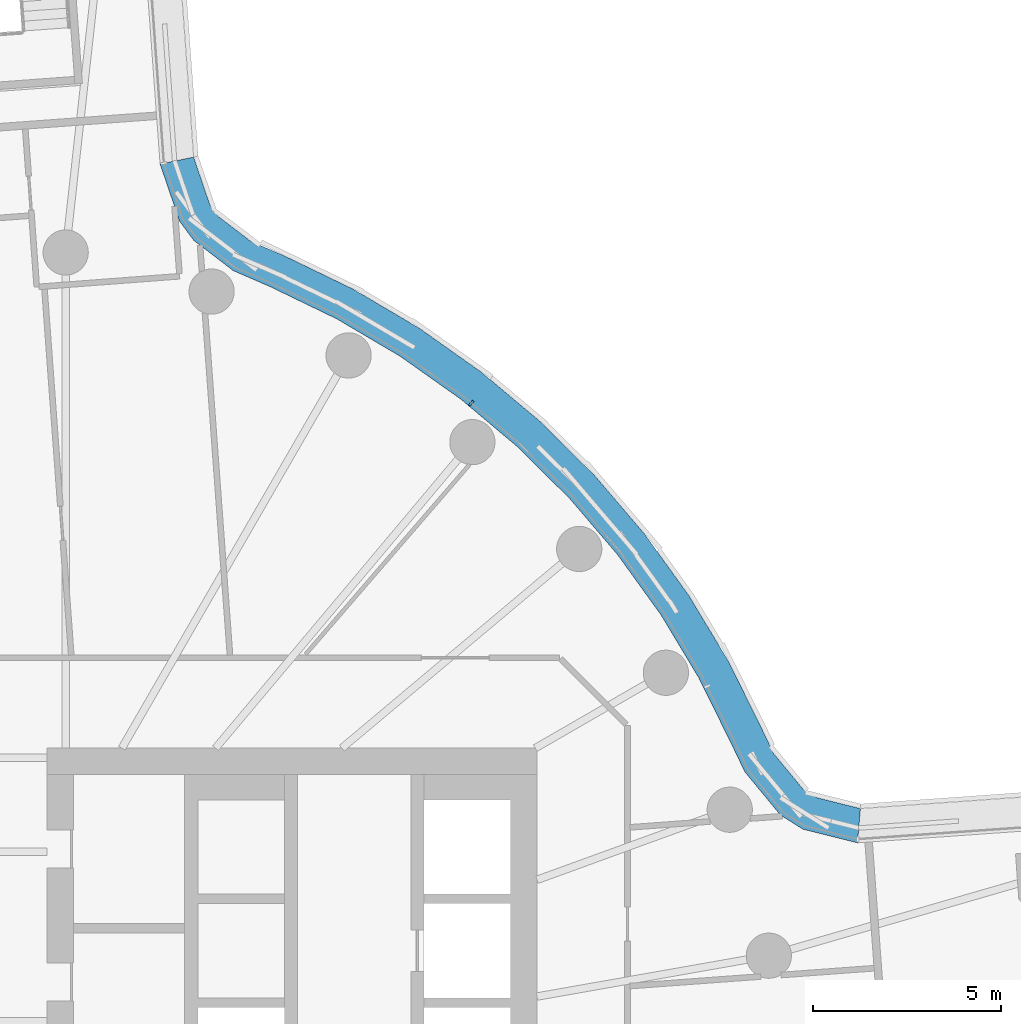
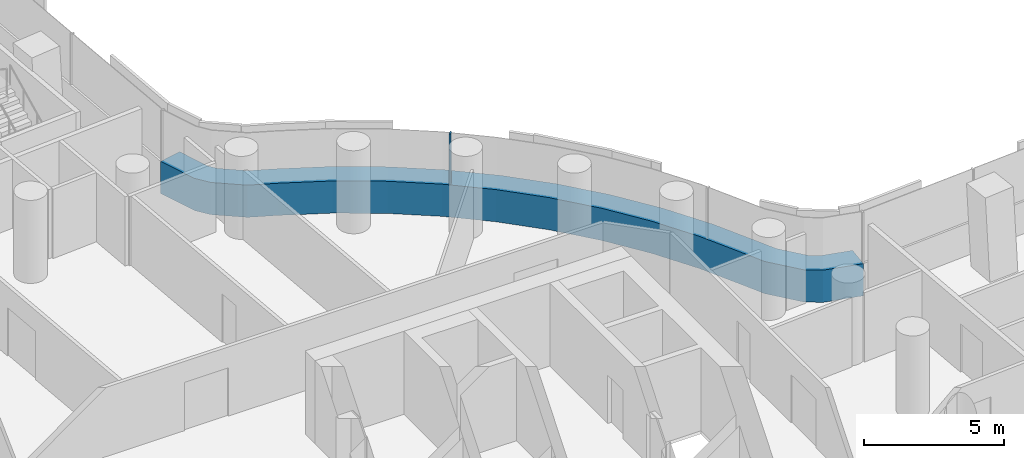
# One storey, part 16 of 31: 2 members, 1 element without a shape of its own.
"""IFC4 building model written with IfcOpenShell, lengths in metres."""

from ifc_helpers import new_model, si_unit, direction, frame, origin, origin_2d, place, context, subcontext, project, spatial, polyline, rectangle, outline, extrude, material, layer, layer_set, material_profile, profile_set, type_object, element, aggregate, save


model = new_model("IFC4")

# Units and contexts
model_context = context("Model", 3, precision=1e-05, world=origin(), true_north=direction((0.0, 1.0)))
body_context = subcontext(model_context, "Body", "Model", "MODEL_VIEW")
ifc_project = project(units=[si_unit("LENGTHUNIT", "METRE"), si_unit("AREAUNIT", "SQUARE_METRE"), si_unit("VOLUMEUNIT", "CUBIC_METRE"), si_unit("PLANEANGLEUNIT", "RADIAN"), si_unit("MASSUNIT", "GRAM", prefix="KILO")], contexts=[model_context])

# Site, building, storey
site_placement = place(None, origin())
site = spatial("IfcSite", under=ifc_project, at=site_placement, CompositionType="ELEMENT")
building_placement = place(site_placement, origin())
building = spatial("IfcBuilding", under=site, at=building_placement, Name="Tamarind Cross Interchange Tower", CompositionType="ELEMENT")
storey_placement = place(building_placement, frame((0.0, 0.0, 49.0)))
storey = spatial("IfcBuildingStorey", under=building, at=storey_placement, Name="L10", CompositionType="ELEMENT", Elevation=49.0)

# Curtain wall, members
ifc_material_1 = material(Name="Aluminium 6063-T6", Category="aluminium")
ifc_layer = layer(ifc_material_1, 0.159912109375)
ifc_layer_set = layer_set([ifc_layer], Name="Aluminium 6063-T6")
curtain_wall_type = type_object("IfcCurtainWallType", Name="Office curtain wall, 9.0 m bays", PredefinedType="NOTDEFINED", material=ifc_layer_set)
curtain_wall_placement = place(storey_placement, origin())
curtain_wall = element("IfcCurtainWall", 1, at=curtain_wall_placement, inside=storey, type_object=curtain_wall_type, Name="CWS-L10-14", PredefinedType="NOTDEFINED")
ifc_material_2 = material(Name="Aluminium and insulated spandrel panel", Category="aluminium")
member_type_1 = type_object("IfcMemberType", Name="Floor-edge blade transom", PredefinedType="USERDEFINED", material=ifc_material_2)
member_1_placement = place(storey_placement, origin())
member_1 = element("IfcMember", 2, at=member_1_placement, type_object=member_type_1, Name="CWT-L10-14", ObjectType="TRANSOM", PredefinedType="USERDEFINED", context=body_context, shape_type="SweptSolid", body=[
    extrude(outline(polyline([(25.00146484375, 6.9873046875), (23.554443359375, 7.348876953125), (22.9580078125, 7.725341796875), (22.015625, 8.8671875), (21.663330078125, 9.602294921875), (20.791015625, 11.367431640625), (19.78125, 13.045654296875), (18.636474609375, 14.634521484375), (17.3642578125, 16.12353515625), (15.973388671875, 17.50244140625), (14.4736328125, 18.76171875), (12.874755859375, 19.892822265625), (11.188232421875, 20.88818359375), (9.419189453125, 21.743408203125), (8.441650390625, 22.168212890625), (7.392578125, 22.971435546875), (7.016357421875, 23.48095703125), (6.498779296875, 24.999267578125), (7.387939453125, 25.180419921875), (7.8232421875, 23.9033203125), (8.041015625, 23.608642578125), (8.9013671875, 22.94970703125), (9.794677734375, 22.5615234375), (11.613525390625, 21.68212890625), (13.3642578125, 20.64892578125), (15.023681640625, 19.474853515625), (16.580810546875, 18.167724609375), (18.0244140625, 16.736572265625), (19.344970703125, 15.19091796875), (20.533203125, 13.54150390625), (21.581298828125, 11.799560546875), (22.47265625, 9.99609375), (22.77978515625, 9.355224609375), (23.560302734375, 8.409423828125), (23.91259765625, 8.18701171875), (25.080810546875, 7.89501953125), (25.00146484375, 6.9873046875)])), origin(), (0.0, 0.0, 1.0), 1.39990234375),
])
ifc_material_profile = material_profile(ifc_material_1, rectangle(XDim=0.06005859375, YDim=0.159912109375, at=origin_2d()), Name="Mullion CW1")
ifc_profile_set = profile_set([ifc_material_profile], Name="Aluminium 6063-T6")
member_type_2 = type_object("IfcMemberType", Name="Mullion CW1", PredefinedType="MULLION", material=ifc_profile_set)
member_2_placement = place(storey_placement, frame((14.756103515625, 18.655029296875, 1.39990234375), z_axis=(0.0, 0.0, 1.0), x_axis=(-0.765858396687, 0.643009266048, 0.0)))
member_2 = element("IfcMember", 3, at=member_2_placement, type_object=member_type_2, Name="CWM-L10-14-02", PredefinedType="MULLION", context=body_context, shape_type="SweptSolid", body=[
    extrude(rectangle(XDim=0.06005859375, YDim=0.159912109375, at=origin_2d()), origin(), (0.0, 0.0, 1.0), 2.210205078125),
])
aggregate(curtain_wall, [member_2, member_1])

save(model, "model.ifc")
